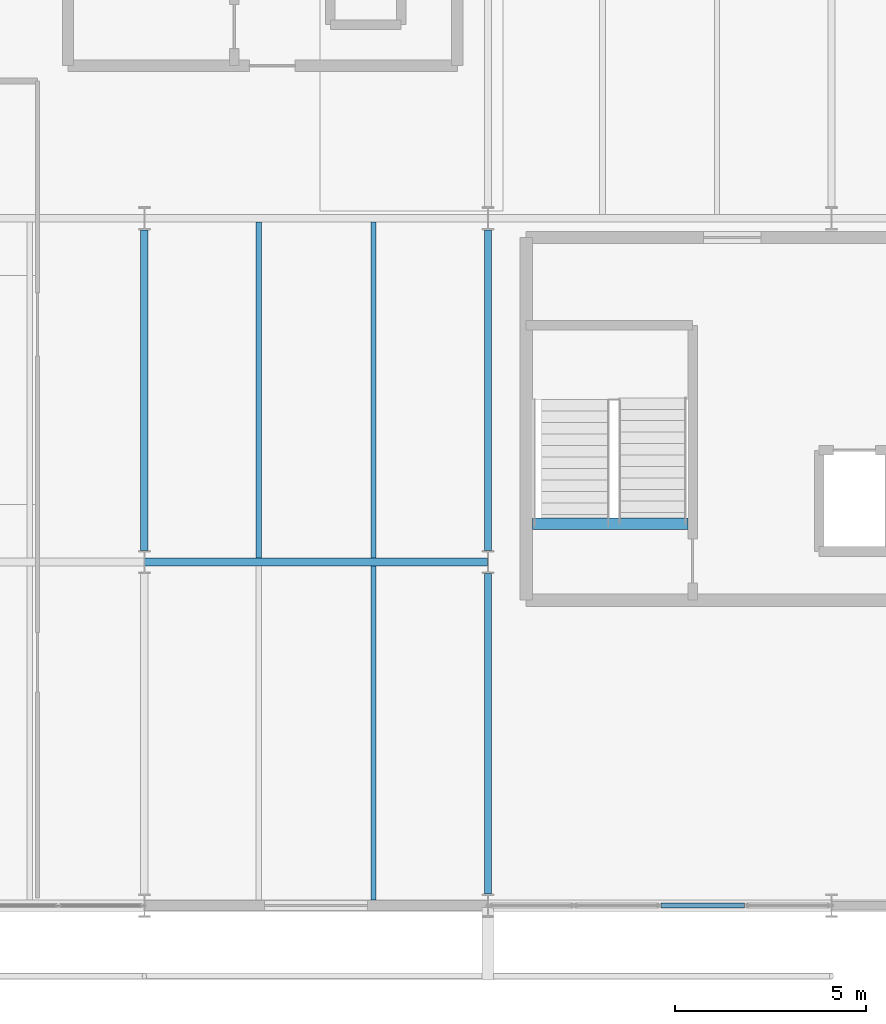
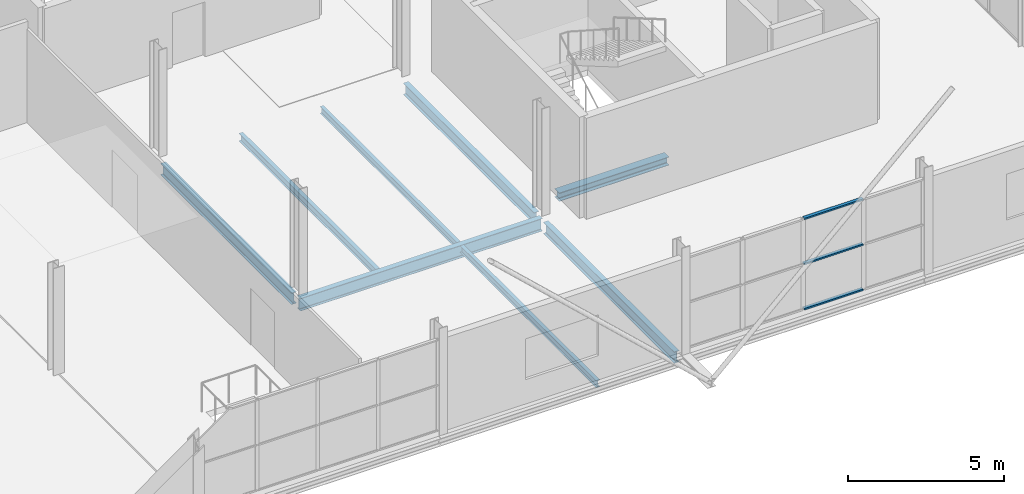
# One storey, part 31 of 59: 8 beams, 3 members, 1 element without a shape of its own.
"""IFC4 building model written with IfcOpenShell, lengths in metres."""

from ifc_helpers import new_model, si_unit, direction, frame, origin, origin_2d, place, context, subcontext, project, spatial, hollow_rectangle, i_section, extrude, material, layer, layer_set, material_profile, profile_set, type_object, element, aggregate, save


model = new_model("IFC4")

# Units and contexts
model_context = context("Model", 3, precision=1e-05, world=origin(), true_north=direction((0.0, 1.0)))
body_context = subcontext(model_context, "Body", "Model", "MODEL_VIEW")
ifc_project = project(units=[si_unit("LENGTHUNIT", "METRE"), si_unit("AREAUNIT", "SQUARE_METRE"), si_unit("VOLUMEUNIT", "CUBIC_METRE"), si_unit("PLANEANGLEUNIT", "RADIAN"), si_unit("MASSUNIT", "GRAM", prefix="KILO")], contexts=[model_context])

# Site, building, storey
site_placement = place(None, origin())
site = spatial("IfcSite", under=ifc_project, at=site_placement, CompositionType="ELEMENT")
building_placement = place(site_placement, origin())
building = spatial("IfcBuilding", under=site, at=building_placement, Name="Deido Ridge Mobility Hub", CompositionType="ELEMENT")
storey_placement = place(building_placement, frame((0.0, 0.0, 21.0)))
storey = spatial("IfcBuildingStorey", under=building, at=storey_placement, Name="L05", CompositionType="ELEMENT", Elevation=21.0)

# Beams
ifc_material_1 = material(Name="Steel S355J2 EN 10025-2", Category="steel")
ifc_material_profile_1 = material_profile(ifc_material_1, i_section(OverallWidth=0.300048828125, OverallDepth=0.330078125, WebThickness=0.009521484375, FlangeThickness=0.0166015625, FilletRadius=0.027099609375, at=origin_2d()), Name="HEA 340")
ifc_profile_set_1 = profile_set([ifc_material_profile_1], Name="Steel S355J2 EN 10025-2")
beam_type_1 = type_object("IfcBeamType", Name="BM-HEA340", PredefinedType="BEAM", material=ifc_profile_set_1)
beam_1_placement = place(storey_placement, frame((163.16259765625, 10.0, -0.409912109375), z_axis=(1.0, 0.0, 0.0), x_axis=(0.0, 1.0, 0.0)))
element("IfcBeam", 1, at=beam_1_placement, inside=storey, type_object=beam_type_1, Name="C1 stair landing trimmer beam B6", PredefinedType="BEAM", context=body_context, shape_type="SweptSolid", body=[
    extrude(i_section(OverallWidth=0.300048828125, OverallDepth=0.330078125, WebThickness=0.009521484375, FlangeThickness=0.0166015625, FilletRadius=0.027099609375, at=origin_2d()), origin(), (0.0, 0.0, 1.0), 4.072509765625),
])
ifc_material_profile_2 = material_profile(ifc_material_1, i_section(OverallWidth=0.18994140625, OverallDepth=0.449951171875, WebThickness=0.009521484375, FlangeThickness=0.0146484375, FilletRadius=0.02099609375, at=origin_2d()), Name="IPE 450")
ifc_profile_set_2 = profile_set([ifc_material_profile_2], Name="Steel S355J2 EN 10025-2")
beam_type_2 = type_object("IfcBeamType", Name="BM-IPE450", PredefinedType="BEAM", material=ifc_profile_set_2)
for number, where, z_axis, x_axis, name in (
    (2, (153.0, 9.300048828125, -0.469970703125), (0.0, 1.0, 0.0), (-1.0, 0.0, 0.0), "Floor beam B4"),
    (3, (162.0, 0.300048828125, -0.469970703125), (0.0, 1.0, 0.0), (-1.0, 0.0, 0.0), "Floor beam B4"),
    (4, (162.0, 9.300048828125, -0.469970703125), (0.0, 1.0, 0.0), (-1.0, 0.0, 0.0), "Floor beam B4"),
):
    element("IfcBeam", number, at=place(storey_placement, frame(where, z_axis=z_axis, x_axis=x_axis)), inside=storey, type_object=beam_type_2, Name=name, PredefinedType="BEAM", context=body_context, shape_type="SweptSolid", body=[
        extrude(i_section(OverallWidth=0.18994140625, OverallDepth=0.449951171875, WebThickness=0.009521484375, FlangeThickness=0.0146484375, FilletRadius=0.02099609375, at=origin_2d()), origin(), (0.0, 0.0, 1.0), 8.39990234375),
    ])
ifc_material_profile_3 = material_profile(ifc_material_1, i_section(OverallWidth=0.199951171875, OverallDepth=0.5, WebThickness=0.01025390625, FlangeThickness=0.01611328125, FilletRadius=0.02099609375, at=origin_2d()), Name="IPE 500")
ifc_profile_set_3 = profile_set([ifc_material_profile_3], Name="Steel S355J2 EN 10025-2")
beam_type_3 = type_object("IfcBeamType", Name="BM-IPE500", PredefinedType="BEAM", material=ifc_profile_set_3)
beam_2_placement = place(storey_placement, frame((153.0078125, 9.0, -0.4951171875), z_axis=(1.0, 0.0, 0.0), x_axis=(0.0, 1.0, 0.0)))
element("IfcBeam", 5, at=beam_2_placement, inside=storey, type_object=beam_type_3, Name="Floor beam B3", PredefinedType="BEAM", context=body_context, shape_type="SweptSolid", body=[
    extrude(i_section(OverallWidth=0.199951171875, OverallDepth=0.5, WebThickness=0.01025390625, FlangeThickness=0.01611328125, FilletRadius=0.02099609375, at=origin_2d()), origin(), (0.0, 0.0, 1.0), 8.984375),
])
ifc_material_profile_4 = material_profile(ifc_material_1, i_section(OverallWidth=0.135009765625, OverallDepth=0.27001953125, WebThickness=0.006591796875, FlangeThickness=0.01025390625, FilletRadius=0.014892578125, at=origin_2d()), Name="IPE 270")
ifc_profile_set_4 = profile_set([ifc_material_profile_4], Name="Steel S355J2 EN 10025-2")
beam_type_4 = type_object("IfcBeamType", Name="JST-IPE270", PredefinedType="JOIST", material=ifc_profile_set_4)
beam_3_placement = place(storey_placement, frame((159.0, 0.14990234375, -0.3798828125), z_axis=(0.0, 1.0, 0.0), x_axis=(-1.0, 0.0, 0.0)))
element("IfcBeam", 6, at=beam_3_placement, inside=storey, type_object=beam_type_4, Name="Composite joist J4", PredefinedType="JOIST", context=body_context, shape_type="SweptSolid", body=[
    extrude(i_section(OverallWidth=0.135009765625, OverallDepth=0.27001953125, WebThickness=0.006591796875, FlangeThickness=0.01025390625, FilletRadius=0.014892578125, at=origin_2d()), origin(), (0.0, 0.0, 1.0), 8.75),
])
beam_4_placement = place(storey_placement, frame((159.0, 9.10009765625, -0.3798828125), z_axis=(0.0, 1.0, 0.0), x_axis=(-1.0, 0.0, 0.0)))
element("IfcBeam", 7, at=beam_4_placement, inside=storey, type_object=beam_type_4, Name="Composite joist J4", PredefinedType="JOIST", context=body_context, shape_type="SweptSolid", body=[
    extrude(i_section(OverallWidth=0.135009765625, OverallDepth=0.27001953125, WebThickness=0.006591796875, FlangeThickness=0.01025390625, FilletRadius=0.014892578125, at=origin_2d()), origin(), (0.0, 0.0, 1.0), 8.7998046875),
])
ifc_material_profile_5 = material_profile(ifc_material_1, i_section(OverallWidth=0.14990234375, OverallDepth=0.300048828125, WebThickness=0.007080078125, FlangeThickness=0.0107421875, FilletRadius=0.014892578125, at=origin_2d()), Name="IPE 300")
ifc_profile_set_5 = profile_set([ifc_material_profile_5], Name="Steel S355J2 EN 10025-2")
beam_type_5 = type_object("IfcBeamType", Name="JST-IPE300", PredefinedType="JOIST", material=ifc_profile_set_5)
beam_5_placement = place(storey_placement, frame((156.0, 9.10009765625, -0.39501953125), z_axis=(0.0, 1.0, 0.0), x_axis=(-1.0, 0.0, 0.0)))
element("IfcBeam", 8, at=beam_5_placement, inside=storey, type_object=beam_type_5, Name="Composite joist J3", PredefinedType="JOIST", context=body_context, shape_type="SweptSolid", body=[
    extrude(i_section(OverallWidth=0.14990234375, OverallDepth=0.300048828125, WebThickness=0.007080078125, FlangeThickness=0.0107421875, FilletRadius=0.014892578125, at=origin_2d()), origin(), (0.0, 0.0, 1.0), 8.7998046875),
])

# Curtain wall, members
ifc_material_2 = material(Name="Anodised aluminium EN AW-6063 T6", Category="aluminium")
ifc_layer = layer(ifc_material_2, 0.195068359375, Name="Anodised aluminium EN AW-6063 T6")
ifc_layer_set = layer_set([ifc_layer], Name="Anodised aluminium EN AW-6063 T6")
curtain_wall_type = type_object("IfcCurtainWallType", Name="CW-UF-3", PredefinedType="USERDEFINED", material=ifc_layer_set)
curtain_wall_placement = place(storey_placement, origin())
curtain_wall = element("IfcCurtainWall", 9, at=curtain_wall_placement, inside=storey, type_object=curtain_wall_type, Name="Unitised curtain wall CW3", ObjectType="UNITISED FACADE", PredefinedType="USERDEFINED")
ifc_material_profile_6 = material_profile(ifc_material_2, hollow_rectangle(XDim=0.125, YDim=0.06005859375, WallThickness=0.00390625, at=origin_2d()), Name="RHS 125x60x4")
ifc_profile_set_6 = profile_set([ifc_material_profile_6], Name="Anodised aluminium EN AW-6063 T6")
member_type = type_object("IfcMemberType", Name="MEM-TRN-125X60", PredefinedType="USERDEFINED", material=ifc_profile_set_6)
member_1_placement = place(storey_placement, frame((166.530029296875, 0.0, 0.030029296875), z_axis=(1.0, 0.0, 0.0), x_axis=(0.0, 1.0, 0.0)))
member_1 = element("IfcMember", 10, at=member_1_placement, type_object=member_type, Name="CW3 transom 3.1", ObjectType="TRANSOM", PredefinedType="USERDEFINED", context=body_context, shape_type="SweptSolid", body=[
    extrude(hollow_rectangle(XDim=0.125, YDim=0.06005859375, WallThickness=0.00390625, at=origin_2d()), origin(), (0.0, 0.0, 1.0), 2.18603515625),
])
member_2_placement = place(storey_placement, frame((166.530029296875, 0.0, 1.800048828125), z_axis=(1.0, 0.0, 0.0), x_axis=(0.0, 1.0, 0.0)))
member_2 = element("IfcMember", 11, at=member_2_placement, type_object=member_type, Name="CW3 transom 3.2", ObjectType="TRANSOM", PredefinedType="USERDEFINED", context=body_context, shape_type="SweptSolid", body=[
    extrude(hollow_rectangle(XDim=0.125, YDim=0.06005859375, WallThickness=0.00390625, at=origin_2d()), origin(), (0.0, 0.0, 1.0), 2.18603515625),
])
member_3_placement = place(storey_placement, frame((166.530029296875, 0.0, 3.570068359375), z_axis=(1.0, 0.0, 0.0), x_axis=(0.0, 1.0, 0.0)))
member_3 = element("IfcMember", 12, at=member_3_placement, type_object=member_type, Name="CW3 transom 3.3", ObjectType="TRANSOM", PredefinedType="USERDEFINED", context=body_context, shape_type="SweptSolid", body=[
    extrude(hollow_rectangle(XDim=0.125, YDim=0.06005859375, WallThickness=0.00390625, at=origin_2d()), origin(), (0.0, 0.0, 1.0), 2.18603515625),
])
aggregate(curtain_wall, [member_1, member_2, member_3])

save(model, "model.ifc")
